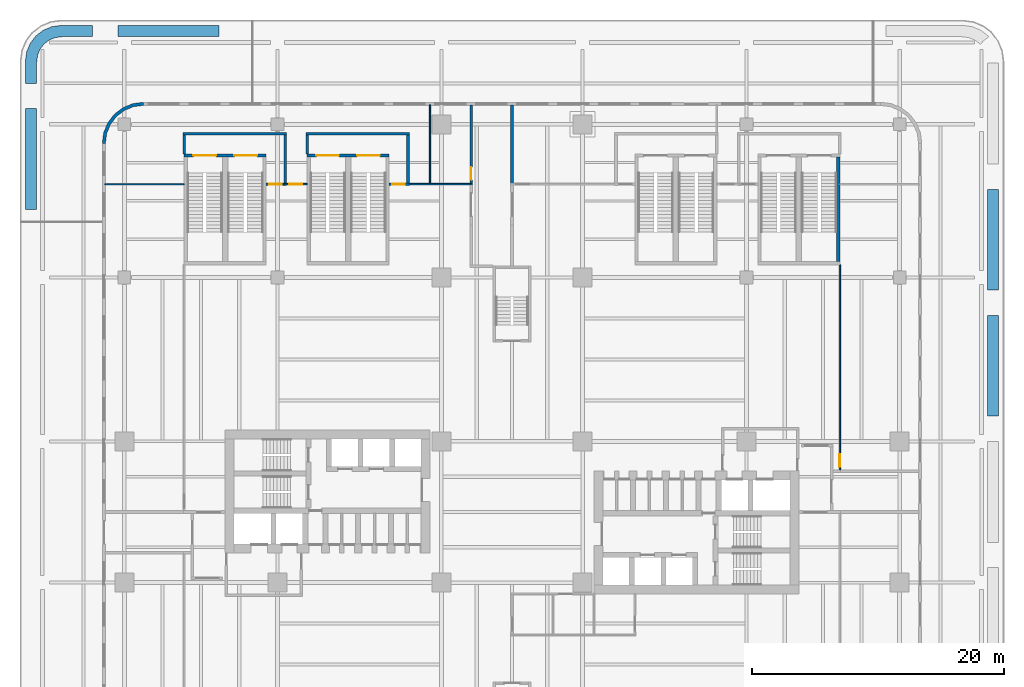
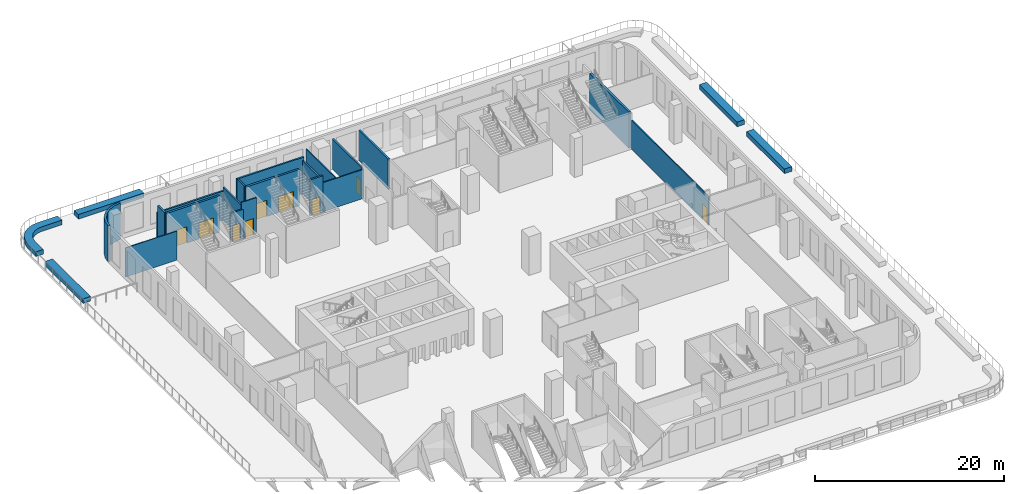
# One storey, part 12 of 17: 24 walls, 9 doors, 9 openings.
"""IFC4 building model written with IfcOpenShell, lengths in metres."""

from ifc_helpers import new_model, si_unit, direction, frame, frame_2d, origin, place, context, subcontext, project, spatial, polyline, rectangle, outline, extrude, source, transform, mapped, material, layer, layer_set, type_object, element, fill, save


model = new_model("IFC4")

# Units and contexts
model_context = context("Model", 3, precision=1e-05, world=origin(), true_north=direction((0.0, 1.0)))
body_context = subcontext(model_context, "Body", "Model", "MODEL_VIEW")
ifc_project = project(units=[si_unit("LENGTHUNIT", "METRE"), si_unit("AREAUNIT", "SQUARE_METRE"), si_unit("VOLUMEUNIT", "CUBIC_METRE"), si_unit("PLANEANGLEUNIT", "RADIAN"), si_unit("MASSUNIT", "GRAM", prefix="KILO")], contexts=[model_context])

# Site, building, storey
site_placement = place(None, origin())
site = spatial("IfcSite", under=ifc_project, at=site_placement, CompositionType="ELEMENT")
building_placement = place(site_placement, origin())
building = spatial("IfcBuilding", under=site, at=building_placement, Name="Trellis Farm Tower", CompositionType="ELEMENT")
storey_placement = place(building_placement, frame((0.0, 0.0, 24.0)))
storey = spatial("IfcBuildingStorey", under=building, at=storey_placement, Name="L04", CompositionType="ELEMENT", Elevation=24.0)

# Walls
ifc_material_1 = material(Name="Plasterboard on steel studs", Category="steel")
ifc_layer_1 = layer(ifc_material_1, 0.10009765625)
ifc_layer_set_1 = layer_set([ifc_layer_1], Name="PARTITION 100 STUD EI 30")
wall_type_1 = type_object("IfcWallType", Name="PARTITION 100 STUD EI 30", PredefinedType="PARTITIONING", material=ifc_layer_set_1)
wall_1_placement = place(storey_placement, frame((-6.5, 26.0625, 0.0), z_axis=(0.0, 0.0, 1.0), x_axis=(0.0, 1.0, 0.0)))
element("IfcWall", 1, at=wall_1_placement, inside=storey, type_object=wall_type_1, Name="Partition PW2", PredefinedType="PARTITIONING", context=body_context, shape_type="SweptSolid", body=[
    extrude(rectangle(XDim=6.237548828125, YDim=0.10009765625, at=frame_2d((3.11865234375, 0.0))), origin(), (0.0, 0.0, 1.0), 3.76171875),
])
ifc_material_2 = material(Name="Sandstone faced insulated wall", Category="masonry")
ifc_layer_2 = layer(ifc_material_2, 0.25)
ifc_layer_set_2 = layer_set([ifc_layer_2], Name="STONE CLAD EXTERNAL WALL 250")
wall_type_2 = type_object("IfcWallType", Name="STONE CLAD EXTERNAL WALL 250", PredefinedType="SOLIDWALL", material=ifc_layer_set_2)
placement = place(storey_placement, origin())
element("IfcWall", 2, at=placement, inside=storey, type_object=wall_type_2, Name="EW5 C02", PredefinedType="SOLIDWALL", context=body_context, shape_type="SweptSolid", body=[
    extrude(outline(polyline([(-29.25, 32.5), (-30.091064453125, 32.38916015625), (-30.875, 32.064697265625), (-31.548095703125, 31.548095703125), (-32.064697265625, 30.875), (-32.38916015625, 30.091064453125), (-32.5, 29.25), (-32.25, 29.233642578125), (-32.145751953125, 30.02587890625), (-31.84619140625, 30.7490234375), (-31.369873046875, 31.369873046875), (-30.7490234375, 31.84619140625), (-30.02587890625, 32.145751953125), (-29.233642578125, 32.25), (-29.25, 32.5)])), origin(), (0.0, 0.0, 1.0), 4.699951171875),
])
ifc_material_3 = material(Name="Sandstone faced masonry planter", Category="masonry")
ifc_layer_3 = layer(ifc_material_3, 0.89990234375)
ifc_layer_set_3 = layer_set([ifc_layer_3], Name="TERRACE PLANTER BED 900")
wall_type_3 = type_object("IfcWallType", Name="TERRACE PLANTER BED 900", PredefinedType="USERDEFINED", material=ifc_layer_set_3)
element("IfcWall", 3, at=placement, inside=storey, type_object=wall_type_3, Name="PLANTER bed", ObjectType="PLANTER", PredefinedType="USERDEFINED", context=body_context, shape_type="SweptSolid", body=[
    extrude(outline(polyline([(-37.699951171875, 31.990478515625), (-37.699951171875, 23.990478515625), (-38.60009765625, 23.990478515625), (-38.60009765625, 31.990478515625), (-37.699951171875, 31.990478515625)])), origin(), (0.0, 0.0, 1.0), 0.60009765625),
])
element("IfcWall", 4, at=placement, inside=storey, type_object=wall_type_3, Name="PLANTER bed", ObjectType="PLANTER", PredefinedType="USERDEFINED", context=body_context, shape_type="SweptSolid", body=[
    extrude(outline(polyline([(-38.49951171875, 36.48681640625), (-38.215087890625, 37.17333984375), (-37.7626953125, 37.7626953125), (-37.17333984375, 38.215087890625), (-36.48681640625, 38.49951171875), (-35.723876953125, 38.60009765625), (-33.25830078125, 38.60009765625), (-33.25830078125, 37.699951171875), (-35.664794921875, 37.699951171875), (-36.251708984375, 37.622802734375), (-36.719482421875, 37.428955078125), (-37.120849609375, 37.120849609375), (-37.428955078125, 36.719482421875), (-37.622802734375, 36.251708984375), (-37.699951171875, 35.664794921875), (-37.699951171875, 33.990478515625), (-38.60009765625, 33.990478515625), (-38.60009765625, 35.723876953125), (-38.49951171875, 36.48681640625)])), origin(), (0.0, 0.0, 1.0), 0.60009765625),
])
element("IfcWall", 5, at=placement, inside=storey, type_object=wall_type_3, Name="PLANTER bed", ObjectType="PLANTER", PredefinedType="USERDEFINED", context=body_context, shape_type="SweptSolid", body=[
    extrude(outline(polyline([(-23.25830078125, 37.699951171875), (-31.25830078125, 37.699951171875), (-31.25830078125, 38.60009765625), (-23.25830078125, 38.60009765625), (-23.25830078125, 37.699951171875)])), origin(), (0.0, 0.0, 1.0), 0.60009765625),
])
element("IfcWall", 6, at=placement, inside=storey, type_object=wall_type_3, Name="PLANTER bed", ObjectType="PLANTER", PredefinedType="USERDEFINED", context=body_context, shape_type="SweptSolid", body=[
    extrude(outline(polyline([(37.699951171875, 7.5986328125), (37.699951171875, 15.5986328125), (38.60009765625, 15.5986328125), (38.60009765625, 7.5986328125), (37.699951171875, 7.5986328125)])), origin(), (0.0, 0.0, 1.0), 0.60009765625),
])
element("IfcWall", 7, at=placement, inside=storey, type_object=wall_type_3, Name="PLANTER bed", ObjectType="PLANTER", PredefinedType="USERDEFINED", context=body_context, shape_type="SweptSolid", body=[
    extrude(outline(polyline([(37.699951171875, 17.5986328125), (37.699951171875, 25.5986328125), (38.60009765625, 25.5986328125), (38.60009765625, 17.5986328125), (37.699951171875, 17.5986328125)])), origin(), (0.0, 0.0, 1.0), 0.60009765625),
])

# Wall, openings, doors
ifc_material_4 = material(Name="Concrete C80/95", Category="concrete")
ifc_layer_4 = layer(ifc_material_4, 0.25)
ifc_layer_set_4 = layer_set([ifc_layer_4], Name="CORE STAIR ENCLOSURE WALL 250 CONCRETE C80/95")
wall_type_4 = type_object("IfcWallType", Name="CORE STAIR ENCLOSURE WALL 250 CONCRETE C80/95", PredefinedType="SHEAR", material=ifc_layer_set_4)
shared_shape_1 = source(origin(), body_context, "Body", "SweptSolid", [
    extrude(rectangle(XDim=6.5, YDim=0.25, at=frame_2d((3.25, 0.0))), origin(), (0.0, 0.0, 1.0), 4.699951171875),
])
wall_8_placement = place(storey_placement, frame((-26.0, 28.27490234375, 0.0), z_axis=(0.0, 0.0, 1.0), x_axis=(1.0, 0.0, 0.0)))
wall_8 = element("IfcWall", 8, at=wall_8_placement, inside=storey, type_object=wall_type_4, Name="Podium stair enclosure wall", PredefinedType="SHEAR", context=body_context, shape_type="MappedRepresentation", body=[
    mapped(shared_shape_1, transform((0.0, 0.0, 0.0))),
])
shared_shape_2 = source(origin(), body_context, "Body", "SweptSolid", [
    extrude(rectangle(XDim=1.800048828125, YDim=2.10009765625, at=frame_2d((0.89990234375, 1.050048828125))), frame((0.0, 0.135009765625, 0.0), z_axis=(0.0, -1.0, 0.0), x_axis=(1.0, 0.0, 0.0)), (0.0, 0.0, 1.0), 0.27001953125),
])
opening_1_placement = place(wall_8_placement, frame((0.72509765625, 0.0, 0.0)))
opening_1 = element("IfcOpeningElement", 9, at=opening_1_placement, cuts=wall_8, Name="Opening DP1", PredefinedType="OPENING", context=body_context, shape_type="MappedRepresentation", body=[
    mapped(shared_shape_2, transform((0.0, 0.0, 0.0))),
])
opening_2_placement = place(wall_8_placement, frame((3.97509765625, 0.0, 0.0)))
opening_2 = element("IfcOpeningElement", 10, at=opening_2_placement, cuts=wall_8, Name="Opening DP2", PredefinedType="OPENING", context=body_context, shape_type="MappedRepresentation", body=[
    mapped(shared_shape_2, transform((0.0, 0.0, 0.0))),
])
ifc_material_5 = material(Name="Steel", Category="steel")
door_type_1 = type_object("IfcDoorType", Name="CORE FIRE DOOR DOUBLE 1800 X 2100", OperationType="DOUBLE_DOOR_SINGLE_SWING", PredefinedType="DOOR", material=ifc_material_5)
shared_shape_3 = source(origin(), body_context, "Body", "SweptSolid", [
    extrude(rectangle(XDim=1.800048828125, YDim=2.10009765625, at=frame_2d((0.89990234375, 1.050048828125))), frame((0.0, 0.02490234375, 0.0), z_axis=(0.0, -1.0, 0.0), x_axis=(1.0, 0.0, 0.0)), (0.0, 0.0, 1.0), 0.050048828125),
])
door_1_placement = place(opening_1_placement, origin())
door_1 = element("IfcDoor", 11, at=door_1_placement, inside=storey, type_object=door_type_1, Name="Podium stair door", OperationType="DOUBLE_DOOR_SINGLE_SWING", OverallHeight=2.10009765625, OverallWidth=1.800048828125, PredefinedType="DOOR", context=body_context, shape_type="MappedRepresentation", body=[
    mapped(shared_shape_3, transform((0.0, 0.0, 0.0))),
])
fill(opening_1, door_1)
door_2_placement = place(opening_2_placement, origin())
door_2 = element("IfcDoor", 12, at=door_2_placement, inside=storey, type_object=door_type_1, Name="Podium stair door", OperationType="DOUBLE_DOOR_SINGLE_SWING", OverallHeight=2.10009765625, OverallWidth=1.800048828125, PredefinedType="DOOR", context=body_context, shape_type="MappedRepresentation", body=[
    mapped(shared_shape_3, transform((0.0, 0.0, 0.0))),
])
fill(opening_2, door_2)

wall_9_placement = place(storey_placement, frame((-16.25, 28.27490234375, 0.0), z_axis=(0.0, 0.0, 1.0), x_axis=(1.0, 0.0, 0.0)))
wall_9 = element("IfcWall", 13, at=wall_9_placement, inside=storey, type_object=wall_type_4, Name="Podium stair enclosure wall", PredefinedType="SHEAR", context=body_context, shape_type="MappedRepresentation", body=[
    mapped(shared_shape_1, transform((0.0, 0.0, 0.0))),
])
opening_3_placement = place(wall_9_placement, frame((0.72509765625, 0.0, 0.0)))
opening_3 = element("IfcOpeningElement", 14, at=opening_3_placement, cuts=wall_9, Name="Opening DP3", PredefinedType="OPENING", context=body_context, shape_type="MappedRepresentation", body=[
    mapped(shared_shape_2, transform((0.0, 0.0, 0.0))),
])
opening_4_placement = place(wall_9_placement, frame((3.97509765625, 0.0, 0.0)))
opening_4 = element("IfcOpeningElement", 15, at=opening_4_placement, cuts=wall_9, Name="Opening DP4", PredefinedType="OPENING", context=body_context, shape_type="MappedRepresentation", body=[
    mapped(shared_shape_2, transform((0.0, 0.0, 0.0))),
])
door_3_placement = place(opening_3_placement, origin())
door_3 = element("IfcDoor", 16, at=door_3_placement, inside=storey, type_object=door_type_1, Name="Podium stair door", OperationType="DOUBLE_DOOR_SINGLE_SWING", OverallHeight=2.10009765625, OverallWidth=1.800048828125, PredefinedType="DOOR", context=body_context, shape_type="MappedRepresentation", body=[
    mapped(shared_shape_3, transform((0.0, 0.0, 0.0))),
])
fill(opening_3, door_3)
door_4_placement = place(opening_4_placement, origin())
door_4 = element("IfcDoor", 17, at=door_4_placement, inside=storey, type_object=door_type_1, Name="Podium stair door", OperationType="DOUBLE_DOOR_SINGLE_SWING", OverallHeight=2.10009765625, OverallWidth=1.800048828125, PredefinedType="DOOR", context=body_context, shape_type="MappedRepresentation", body=[
    mapped(shared_shape_3, transform((0.0, 0.0, 0.0))),
])
fill(opening_4, door_4)

# Walls
shared_shape_4 = source(origin(), body_context, "Body", "SweptSolid", [
    extrude(rectangle(XDim=8.2998046875, YDim=0.25, at=frame_2d((4.14990234375, 0.0))), origin(), (0.0, 0.0, 1.0), 4.699951171875),
])
wall_10_placement = place(storey_placement, frame((25.875, 19.85009765625, 0.0), z_axis=(0.0, 0.0, 1.0), x_axis=(0.0, 1.0, 0.0)))
element("IfcWall", 18, at=wall_10_placement, inside=storey, type_object=wall_type_4, Name="Podium stair enclosure wall", PredefinedType="SHEAR", context=body_context, shape_type="MappedRepresentation", body=[
    mapped(shared_shape_4, transform((0.0, 0.0, 0.0))),
])
ifc_material_6 = material(Name="Lightweight blockwork, plastered", Category="masonry")
ifc_layer_5 = layer(ifc_material_6, 0.199951171875)
ifc_layer_set_5 = layer_set([ifc_layer_5], Name="BLOCK WALL 200 EI 120")
wall_type_5 = type_object("IfcWallType", Name="BLOCK WALL 200 EI 120", PredefinedType="PARTITIONING", material=ifc_layer_set_5)
shared_shape_5 = source(origin(), body_context, "Body", "SweptSolid", [
    extrude(rectangle(XDim=8.2001953125, YDim=0.199951171875, at=frame_2d((4.10009765625, 0.0))), origin(), (0.0, 0.0, 1.0), 4.699951171875),
])
wall_11_placement = place(storey_placement, frame((-8.14990234375, 30.0, 0.0), z_axis=(0.0, 0.0, 1.0), x_axis=(-1.0, 0.0, 0.0)))
element("IfcWall", 19, at=wall_11_placement, inside=storey, type_object=wall_type_5, Name="Partition PW3", PredefinedType="PARTITIONING", context=body_context, shape_type="MappedRepresentation", body=[
    mapped(shared_shape_5, transform((0.0, 0.0, 0.0))),
])
shared_shape_6 = source(origin(), body_context, "Body", "SweptSolid", [
    extrude(rectangle(XDim=8.2001953125, YDim=0.199951171875, at=frame_2d((4.10009765625, 0.0))), origin(), (0.0, 0.0, 1.0), 3.76171875),
])
wall_12_placement = place(storey_placement, frame((-17.89990234375, 30.0, 0.0), z_axis=(0.0, 0.0, 1.0), x_axis=(-1.0, 0.0, 0.0)))
element("IfcWall", 20, at=wall_12_placement, inside=storey, type_object=wall_type_5, Name="Partition PW3", PredefinedType="PARTITIONING", context=body_context, shape_type="MappedRepresentation", body=[
    mapped(shared_shape_6, transform((0.0, 0.0, 0.0))),
])

# Wall, opening, door
shared_shape_7 = source(origin(), body_context, "Body", "SweptSolid", [
    extrude(rectangle(XDim=1.60009765625, YDim=0.199951171875, at=frame_2d((0.800048828125, 0.0))), origin(), (0.0, 0.0, 1.0), 4.699951171875),
])
wall_13_placement = place(storey_placement, frame((-8.14990234375, 26.0, 0.0), z_axis=(0.0, 0.0, 1.0), x_axis=(-1.0, 0.0, 0.0)))
wall_13 = element("IfcWall", 21, at=wall_13_placement, inside=storey, type_object=wall_type_5, Name="Partition PW3", PredefinedType="PARTITIONING", context=body_context, shape_type="MappedRepresentation", body=[
    mapped(shared_shape_7, transform((0.0, 0.0, 0.0))),
])
shared_shape_8 = source(origin(), body_context, "Body", "SweptSolid", [
    extrude(rectangle(XDim=1.0, YDim=2.10009765625, at=frame_2d((0.5, 1.050048828125))), frame((0.0, 0.110107421875, 0.0), z_axis=(0.0, -1.0, 0.0), x_axis=(1.0, 0.0, 0.0)), (0.0, 0.0, 1.0), 0.22021484375),
])
opening_5_placement = place(wall_13_placement, frame((0.35009765625, 0.0, 0.0)))
opening_5 = element("IfcOpeningElement", 22, at=opening_5_placement, cuts=wall_13, Name="Opening D306", PredefinedType="OPENING", context=body_context, shape_type="MappedRepresentation", body=[
    mapped(shared_shape_8, transform((0.0, 0.0, 0.0))),
])
ifc_material_7 = material(Name="Fire-rated timber door leaf in a hollow metal frame", Category="wood")
door_type_2 = type_object("IfcDoorType", Name="DOOR 1000x2100 FD60", OperationType="NOTDEFINED", PredefinedType="DOOR", material=ifc_material_7)
shared_shape_9 = source(origin(), body_context, "Body", "SweptSolid", [
    extrude(rectangle(XDim=1.0, YDim=2.10009765625, at=frame_2d((0.5, 1.050048828125))), frame((0.0, 0.02490234375, 0.0), z_axis=(0.0, -1.0, 0.0), x_axis=(1.0, 0.0, 0.0)), (0.0, 0.0, 1.0), 0.050048828125),
])
door_5_placement = place(opening_5_placement, origin())
door_5 = element("IfcDoor", 23, at=door_5_placement, inside=storey, type_object=door_type_2, Name="Door D306", OperationType="SINGLE_SWING_LEFT", OverallHeight=2.10009765625, OverallWidth=1.0, PredefinedType="DOOR", context=body_context, shape_type="MappedRepresentation", body=[
    mapped(shared_shape_9, transform((0.0, 0.0, 0.0))),
])
fill(opening_5, door_5)

shared_shape_10 = source(origin(), body_context, "Body", "SweptSolid", [
    extrude(rectangle(XDim=1.60009765625, YDim=0.199951171875, at=frame_2d((0.800048828125, 0.0))), origin(), (0.0, 0.0, 1.0), 3.76171875),
])
wall_14_placement = place(storey_placement, frame((-17.89990234375, 26.0, 0.0), z_axis=(0.0, 0.0, 1.0), x_axis=(-1.0, 0.0, 0.0)))
wall_14 = element("IfcWall", 24, at=wall_14_placement, inside=storey, type_object=wall_type_5, Name="Partition PW3", PredefinedType="PARTITIONING", context=body_context, shape_type="MappedRepresentation", body=[
    mapped(shared_shape_10, transform((0.0, 0.0, 0.0))),
])
opening_6_placement = place(wall_14_placement, frame((0.35009765625, 0.0, 0.0)))
opening_6 = element("IfcOpeningElement", 25, at=opening_6_placement, cuts=wall_14, Name="Opening D305", PredefinedType="OPENING", context=body_context, shape_type="MappedRepresentation", body=[
    mapped(shared_shape_8, transform((0.0, 0.0, 0.0))),
])
door_6_placement = place(opening_6_placement, origin())
door_6 = element("IfcDoor", 26, at=door_6_placement, inside=storey, type_object=door_type_2, Name="Door D305", OperationType="SINGLE_SWING_LEFT", OverallHeight=2.10009765625, OverallWidth=1.0, PredefinedType="DOOR", context=body_context, shape_type="MappedRepresentation", body=[
    mapped(shared_shape_9, transform((0.0, 0.0, 0.0))),
])
fill(opening_6, door_6)

# Walls
ifc_material_8 = material(Name="Plasterboard on steel studs, mineral wool", Category="steel")
ifc_layer_6 = layer(ifc_material_8, 0.125)
ifc_layer_set_6 = layer_set([ifc_layer_6], Name="PARTITION 125 STUD EI 60")
wall_type_6 = type_object("IfcWallType", Name="PARTITION 125 STUD EI 60", PredefinedType="PARTITIONING", material=ifc_layer_set_6)
shared_shape_11 = source(origin(), body_context, "Body", "SweptSolid", [
    extrude(rectangle(XDim=5.2001953125, YDim=0.125, at=frame_2d((2.60009765625, 0.0))), origin(), (0.0, 0.0, 1.0), 3.76171875),
])
wall_15_placement = place(storey_placement, frame((-8.35009765625, 26.0, 0.0), z_axis=(0.0, 0.0, 1.0), x_axis=(1.0, 0.0, 0.0)))
element("IfcWall", 27, at=wall_15_placement, inside=storey, type_object=wall_type_6, Name="Partition PW1", PredefinedType="PARTITIONING", context=body_context, shape_type="MappedRepresentation", body=[
    mapped(shared_shape_11, transform((0.0, 0.0, 0.0))),
])
shared_shape_12 = source(origin(), body_context, "Body", "SweptSolid", [
    extrude(rectangle(XDim=1.5, YDim=0.199951171875, at=frame_2d((0.75, 0.0))), origin(), (0.0, 0.0, 1.0), 4.699951171875),
])
for number, where, z_axis, x_axis, name in (
    (28, (-26.0, 28.39990234375, 0.0), (0.0, 0.0, 1.0), (0.0, 1.0, 0.0), "Partition PW3"),
    (29, (-16.25, 28.39990234375, 0.0), (0.0, 0.0, 1.0), (0.0, 1.0, 0.0), "Partition PW3"),
):
    element("IfcWall", number, at=place(storey_placement, frame(where, z_axis=z_axis, x_axis=x_axis)), inside=storey, type_object=wall_type_5, Name=name, PredefinedType="PARTITIONING", context=body_context, shape_type="MappedRepresentation", body=[
        mapped(shared_shape_12, transform((0.0, 0.0, 0.0))),
    ])
shared_shape_13 = source(origin(), body_context, "Body", "SweptSolid", [
    extrude(rectangle(XDim=3.7998046875, YDim=0.199951171875, at=frame_2d((1.89990234375, 0.0))), origin(), (0.0, 0.0, 1.0), 4.273681640625),
])
for number, where, z_axis, x_axis, name in (
    (30, (-18.0, 26.10009765625, 0.0), (0.0, 0.0, 1.0), (0.0, 1.0, 0.0), "Partition PW3"),
    (31, (-8.25, 26.10009765625, 0.0), (0.0, 0.0, 1.0), (0.0, 1.0, 0.0), "Partition PW3"),
):
    element("IfcWall", number, at=place(storey_placement, frame(where, z_axis=z_axis, x_axis=x_axis)), inside=storey, type_object=wall_type_5, Name=name, PredefinedType="PARTITIONING", context=body_context, shape_type="MappedRepresentation", body=[
        mapped(shared_shape_13, transform((0.0, 0.0, 0.0))),
    ])

# Wall, opening, door
shared_shape_14 = source(origin(), body_context, "Body", "SweptSolid", [
    extrude(rectangle(XDim=6.237548828125, YDim=0.199951171875, at=frame_2d((3.11865234375, 0.0))), origin(), (0.0, 0.0, 1.0), 3.917724609375),
])
wall_16_placement = place(storey_placement, frame((-3.25, 26.0625, 0.0), z_axis=(0.0, 0.0, 1.0), x_axis=(0.0, 1.0, 0.0)))
wall_16 = element("IfcWall", 32, at=wall_16_placement, inside=storey, type_object=wall_type_5, Name="Partition PW3", PredefinedType="PARTITIONING", context=body_context, shape_type="MappedRepresentation", body=[
    mapped(shared_shape_14, transform((0.0, 0.0, 0.0))),
])
opening_7_placement = place(wall_16_placement, frame((0.28759765625, 0.0, 0.0)))
opening_7 = element("IfcOpeningElement", 33, at=opening_7_placement, cuts=wall_16, Name="Opening D109", PredefinedType="OPENING", context=body_context, shape_type="MappedRepresentation", body=[
    mapped(shared_shape_8, transform((0.0, 0.0, 0.0))),
])
door_type_3 = type_object("IfcDoorType", Name="DOOR 1000x2100 FD30S", OperationType="NOTDEFINED", PredefinedType="DOOR", material=ifc_material_7)
door_7_placement = place(opening_7_placement, origin())
door_7 = element("IfcDoor", 34, at=door_7_placement, inside=storey, type_object=door_type_3, Name="Door D109", OperationType="SINGLE_SWING_LEFT", OverallHeight=2.10009765625, OverallWidth=1.0, PredefinedType="DOOR", context=body_context, shape_type="MappedRepresentation", body=[
    mapped(shared_shape_9, transform((0.0, 0.0, 0.0))),
])
fill(opening_7, door_7)

# Wall
wall_17_placement = place(storey_placement, frame((0.0, 32.300048828125, 0.0), z_axis=(0.0, 0.0, 1.0), x_axis=(0.0, -1.0, 0.0)))
element("IfcWall", 35, at=wall_17_placement, inside=storey, type_object=wall_type_5, Name="Partition PW3", PredefinedType="PARTITIONING", context=body_context, shape_type="MappedRepresentation", body=[
    mapped(shared_shape_14, transform((0.0, 0.0, 0.0))),
])

# Wall, opening, door
shared_shape_15 = source(origin(), body_context, "Body", "SweptSolid", [
    extrude(rectangle(XDim=16.25, YDim=0.125, at=frame_2d((8.125, 0.0))), origin(), (0.0, 0.0, 1.0), 3.76171875),
])
wall_18_placement = place(storey_placement, frame((26.0, 19.60009765625, 0.0), z_axis=(0.0, 0.0, 1.0), x_axis=(0.0, -1.0, 0.0)))
wall_18 = element("IfcWall", 36, at=wall_18_placement, inside=storey, type_object=wall_type_6, Name="Partition PW1", PredefinedType="PARTITIONING", context=body_context, shape_type="MappedRepresentation", body=[
    mapped(shared_shape_15, transform((0.0, 0.0, 0.0))),
])
shared_shape_16 = source(origin(), body_context, "Body", "SweptSolid", [
    extrude(rectangle(XDim=1.0, YDim=2.10009765625, at=frame_2d((0.5, 1.050048828125))), frame((0.0, 0.072509765625, 0.0), z_axis=(0.0, -1.0, 0.0), x_axis=(1.0, 0.0, 0.0)), (0.0, 0.0, 1.0), 0.14501953125),
])
opening_8_placement = place(wall_18_placement, frame((15.0, 0.0, 0.0)))
opening_8 = element("IfcOpeningElement", 37, at=opening_8_placement, cuts=wall_18, Name="Opening D105", PredefinedType="OPENING", context=body_context, shape_type="MappedRepresentation", body=[
    mapped(shared_shape_16, transform((0.0, 0.0, 0.0))),
])
door_8_placement = place(opening_8_placement, origin())
door_8 = element("IfcDoor", 38, at=door_8_placement, inside=storey, type_object=door_type_3, Name="Door D105", OperationType="SINGLE_SWING_RIGHT", OverallHeight=2.10009765625, OverallWidth=1.0, PredefinedType="DOOR", context=body_context, shape_type="MappedRepresentation", body=[
    mapped(shared_shape_9, transform((0.0, 0.0, 0.0))),
])
fill(opening_8, door_8)

# Wall
shared_shape_17 = source(origin(), body_context, "Body", "SweptSolid", [
    extrude(rectangle(XDim=6.300048828125, YDim=0.10009765625, at=frame_2d((3.14990234375, 0.0))), origin(), (0.0, 0.0, 1.0), 3.76171875),
])
wall_19_placement = place(storey_placement, frame((-32.300048828125, 26.0, 0.0), z_axis=(0.0, 0.0, 1.0), x_axis=(1.0, 0.0, 0.0)))
element("IfcWall", 39, at=wall_19_placement, inside=storey, type_object=wall_type_1, Name="Partition PW2", PredefinedType="PARTITIONING", context=body_context, shape_type="MappedRepresentation", body=[
    mapped(shared_shape_17, transform((0.0, 0.0, 0.0))),
])

# Wall, opening, door
shared_shape_18 = source(origin(), body_context, "Body", "SweptSolid", [
    extrude(rectangle(XDim=1.85009765625, YDim=0.125, at=frame_2d((0.925048828125, 0.0))), origin(), (0.0, 0.0, 1.0), 4.699951171875),
])
wall_20_placement = place(storey_placement, frame((-18.10009765625, 26.0, 0.0), z_axis=(0.0, 0.0, 1.0), x_axis=(1.0, 0.0, 0.0)))
wall_20 = element("IfcWall", 40, at=wall_20_placement, inside=storey, type_object=wall_type_6, Name="Partition PW1", PredefinedType="PARTITIONING", context=body_context, shape_type="MappedRepresentation", body=[
    mapped(shared_shape_18, transform((0.0, 0.0, 0.0))),
])
opening_9_placement = place(wall_20_placement, frame((0.449951171875, 0.0, 0.0)))
opening_9 = element("IfcOpeningElement", 41, at=opening_9_placement, cuts=wall_20, Name="Opening D106", PredefinedType="OPENING", context=body_context, shape_type="MappedRepresentation", body=[
    mapped(shared_shape_16, transform((0.0, 0.0, 0.0))),
])
door_9_placement = place(opening_9_placement, origin())
door_9 = element("IfcDoor", 42, at=door_9_placement, inside=storey, type_object=door_type_3, Name="Door D106", OperationType="SINGLE_SWING_LEFT", OverallHeight=2.10009765625, OverallWidth=1.0, PredefinedType="DOOR", context=body_context, shape_type="MappedRepresentation", body=[
    mapped(shared_shape_9, transform((0.0, 0.0, 0.0))),
])
fill(opening_9, door_9)

save(model, "model.ifc")
